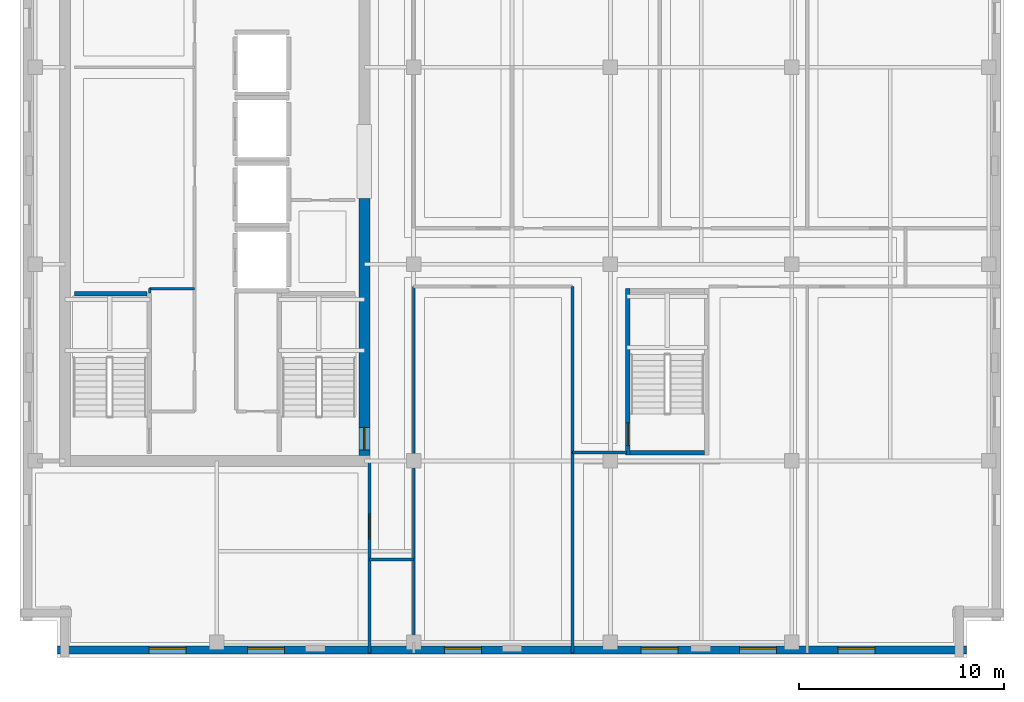
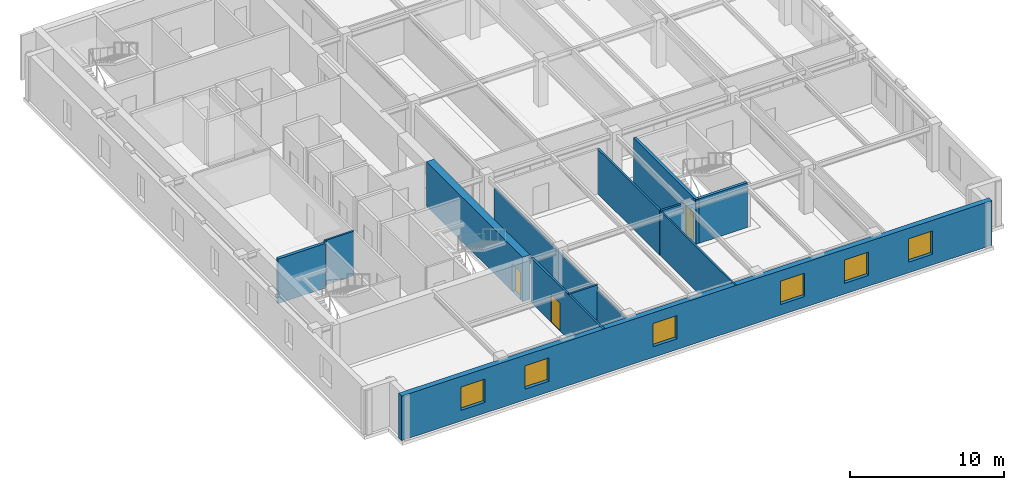
# One storey, part 3 of 11: 13 walls, 6 windows, 3 doors, 9 openings.
"""IFC4 building model written with IfcOpenShell, lengths in metres."""

from ifc_helpers import new_model, si_unit, direction, frame, frame_2d, origin, place, context, subcontext, project, spatial, rectangle, extrude, material, layer, layer_set, type_object, element, fill, save


model = new_model("IFC4")

# Units and contexts
model_context = context("Model", 3, precision=1e-05, world=origin(), true_north=direction((0.0, 1.0)))
body_context = subcontext(model_context, "Body", "Model", "MODEL_VIEW")
ifc_project = project(units=[si_unit("LENGTHUNIT", "METRE"), si_unit("AREAUNIT", "SQUARE_METRE"), si_unit("VOLUMEUNIT", "CUBIC_METRE"), si_unit("PLANEANGLEUNIT", "RADIAN"), si_unit("MASSUNIT", "GRAM", prefix="KILO")], contexts=[model_context])

# Site, building, storey
site_placement = place(None, origin())
site = spatial("IfcSite", under=ifc_project, at=site_placement, CompositionType="ELEMENT")
building_placement = place(site_placement, origin())
building = spatial("IfcBuilding", under=site, at=building_placement, Name="Norrvale University Quadrangle", CompositionType="ELEMENT")
storey_placement = place(building_placement, frame((0.0, 0.0, 284.800048828125)))
storey = spatial("IfcBuildingStorey", under=building, at=storey_placement, Name="L72", CompositionType="ELEMENT", Elevation=284.800048828125)

# Wall, opening, door
ifc_material_1 = material(Name="Concrete C60/75", Category="concrete")
ifc_layer_1 = layer(ifc_material_1, 0.550048828125, Name="Concrete C60/75")
ifc_layer_set_1 = layer_set([ifc_layer_1], Name="Concrete C60/75")
wall_type_1 = type_object("IfcWallType", Name="Wall Core 550", PredefinedType="SHEAR", material=ifc_layer_set_1)
wall_1_placement = place(storey_placement, frame((16.800048828125, 9.875, 0.0), z_axis=(0.0, 0.0, 1.0), x_axis=(0.0, 1.0, 0.0)))
wall_1 = element("IfcWall", 1, at=wall_1_placement, inside=storey, type_object=wall_type_1, Name="Tower Core Shear Wall L72-E1", PredefinedType="SHEAR", context=body_context, shape_type="SweptSolid", body=[
    extrude(rectangle(XDim=12.52490234375, YDim=0.550048828125, at=frame_2d((6.262451171875, 0.0))), origin(), (0.0, 0.0, 1.0), 3.5400390625),
])
opening_1_placement = place(wall_1_placement, frame((0.264892578125, 0.0, 0.0)))
opening_1 = element("IfcOpeningElement", 2, at=opening_1_placement, cuts=wall_1, Name="Opening D02", PredefinedType="OPENING", context=body_context, shape_type="SweptSolid", body=[
    extrude(rectangle(XDim=1.10009765625, YDim=2.199951171875, at=frame_2d((0.550048828125, 1.10009765625))), frame((0.0, 0.287109375, 0.0), z_axis=(0.0, -1.0, 0.0), x_axis=(1.0, 0.0, 0.0)), (0.0, 0.0, 1.0), 0.573974609375),
])
ifc_material_2 = material(Name="Hollow Steel 350W Fire Door", Category="steel")
door_type_1 = type_object("IfcDoorType", Name="Door Stair Exit 1100x2200", OperationType="NOTDEFINED", PredefinedType="DOOR", material=ifc_material_2)
door_1_placement = place(opening_1_placement, origin())
door_1 = element("IfcDoor", 3, at=door_1_placement, inside=storey, type_object=door_type_1, Name="Door Stair Exit 1100x2200 DR-L72-ST03", OperationType="SINGLE_SWING_LEFT", OverallHeight=2.199951171875, OverallWidth=1.10009765625, PredefinedType="DOOR", context=body_context, shape_type="SweptSolid", body=[
    extrude(rectangle(XDim=1.10009765625, YDim=2.199951171875, at=frame_2d((0.550048828125, 1.10009765625))), frame((0.0, 0.02490234375, 0.0), z_axis=(0.0, -1.0, 0.0), x_axis=(1.0, 0.0, 0.0)), (0.0, 0.0, 1.0), 0.050048828125),
])
fill(opening_1, door_1)

# Walls
ifc_material_3 = material(Name="Standard Academic Gypsum Partition")
ifc_layer_2 = layer(ifc_material_3, 0.125, Name="Standard Academic Gypsum Partition")
ifc_layer_set_2 = layer_set([ifc_layer_2], Name="Standard Academic Gypsum Partition")
wall_type_2 = type_object("IfcWallType", Name="Wall Gypsum Academic 125", PredefinedType="PARTITIONING", material=ifc_layer_set_2)
wall_2_placement = place(storey_placement, frame((6.320068359375, 17.800048828125, 0.0), z_axis=(0.0, 0.0, 1.0), x_axis=(0.0, 1.0, 0.0)))
element("IfcWall", 4, at=wall_2_placement, inside=storey, type_object=wall_type_2, Name="Interior Partition WL-L72-REC-L1", PredefinedType="PARTITIONING", context=body_context, shape_type="SweptSolid", body=[
    extrude(rectangle(XDim=0.199951171875, YDim=0.125, at=frame_2d((0.10009765625, 0.0))), origin(), (0.0, 0.0, 1.0), 3.5400390625),
])
wall_3_placement = place(storey_placement, frame((6.320068359375, 18.0, 0.0), z_axis=(0.0, 0.0, 1.0), x_axis=(1.0, 0.0, 0.0)))
element("IfcWall", 5, at=wall_3_placement, inside=storey, type_object=wall_type_2, Name="Interior Partition WL-L72-REC-L2", PredefinedType="PARTITIONING", context=body_context, shape_type="SweptSolid", body=[
    extrude(rectangle(XDim=2.199951171875, YDim=0.125, at=frame_2d((1.10009765625, 0.0))), origin(), (0.0, 0.0, 1.0), 3.5400390625),
])
wall_4_placement = place(storey_placement, frame((19.199951171875, 0.75, 0.0), z_axis=(0.0, 0.0, 1.0), x_axis=(0.0, 1.0, 0.0)))
element("IfcWall", 6, at=wall_4_placement, inside=storey, type_object=wall_type_2, Name="Interior Partition WL-L72-SE-W0-B2", PredefinedType="PARTITIONING", context=body_context, shape_type="SweptSolid", body=[
    extrude(rectangle(XDim=17.35009765625, YDim=0.125, at=frame_2d((8.675048828125, 0.0))), origin(), (0.0, 0.0, 1.0), 3.123046875),
])
wall_5_placement = place(storey_placement, frame((26.949951171875, 0.219970703125, 0.0), z_axis=(0.0, 0.0, 1.0), x_axis=(0.0, 1.0, 0.0)))
element("IfcWall", 7, at=wall_5_placement, inside=storey, type_object=wall_type_2, Name="Interior Partition WL-L72-SEP1A", PredefinedType="PARTITIONING", context=body_context, shape_type="SweptSolid", body=[
    extrude(rectangle(XDim=9.780029296875, YDim=0.125, at=frame_2d((4.89013671875, 0.0))), origin(), (0.0, 0.0, 1.0), 3.5400390625),
])
ifc_material_4 = material(Name="Fire-Rated Gypsum Stud Partition")
ifc_layer_3 = layer(ifc_material_4, 0.14990234375, Name="Fire-Rated Gypsum Stud Partition")
ifc_layer_set_3 = layer_set([ifc_layer_3], Name="Fire-Rated Gypsum Stud Partition")
wall_type_3 = type_object("IfcWallType", Name="Wall Gypsum Corridor 150", PredefinedType="PARTITIONING", material=ifc_layer_set_3)
wall_6_placement = place(storey_placement, frame((17.050048828125, 4.800048828125, 0.0), z_axis=(0.0, 0.0, 1.0), x_axis=(1.0, 0.0, 0.0)))
element("IfcWall", 8, at=wall_6_placement, inside=storey, type_object=wall_type_3, Name="Interior Partition WL-L72-CSP-S", PredefinedType="PARTITIONING", context=body_context, shape_type="SweptSolid", body=[
    extrude(rectangle(XDim=2.14990234375, YDim=0.14990234375, at=frame_2d((1.074951171875, 0.0))), origin(), (0.0, 0.0, 1.0), 3.5400390625),
])

# Wall, opening, door
wall_7_placement = place(storey_placement, frame((17.050048828125, 0.219970703125, 0.0), z_axis=(0.0, 0.0, 1.0), x_axis=(0.0, 1.0, 0.0)))
wall_7 = element("IfcWall", 9, at=wall_7_placement, inside=storey, type_object=wall_type_3, Name="Interior Partition WL-L72-SW-E", PredefinedType="PARTITIONING", context=body_context, shape_type="SweptSolid", body=[
    extrude(rectangle(XDim=9.380126953125, YDim=0.14990234375, at=frame_2d((4.68994140625, 0.0))), origin(), (0.0, 0.0, 1.0), 3.5400390625),
])
opening_2_placement = place(wall_7_placement, frame((5.580078125, 0.0, 0.0)))
opening_2 = element("IfcOpeningElement", 10, at=opening_2_placement, cuts=wall_7, Name="Opening D05", PredefinedType="OPENING", context=body_context, shape_type="SweptSolid", body=[
    extrude(rectangle(XDim=1.199951171875, YDim=2.199951171875, at=frame_2d((0.60009765625, 1.10009765625))), frame((0.0, 0.0869140625, 0.0), z_axis=(0.0, -1.0, 0.0), x_axis=(1.0, 0.0, 0.0)), (0.0, 0.0, 1.0), 0.173828125),
])
ifc_material_5 = material(Name="Acoustic Oak Classroom Door", Category="wood")
door_type_2 = type_object("IfcDoorType", Name="Door Classroom 1200x2200", OperationType="NOTDEFINED", PredefinedType="DOOR", material=ifc_material_5)
door_2_placement = place(opening_2_placement, origin())
door_2 = element("IfcDoor", 11, at=door_2_placement, inside=storey, type_object=door_type_2, Name="Door Classroom 1200x2200 DR-L72-SW1", OperationType="SINGLE_SWING_LEFT", OverallHeight=2.199951171875, OverallWidth=1.199951171875, PredefinedType="DOOR", context=body_context, shape_type="SweptSolid", body=[
    extrude(rectangle(XDim=1.199951171875, YDim=2.199951171875, at=frame_2d((0.60009765625, 1.10009765625))), frame((0.0, 0.02490234375, 0.0), z_axis=(0.0, -1.0, 0.0), x_axis=(1.0, 0.0, 0.0)), (0.0, 0.0, 1.0), 0.050048828125),
])
fill(opening_2, door_2)

# Walls
wall_8_placement = place(storey_placement, frame((26.949951171875, 10.0, 0.0), z_axis=(0.0, 0.0, 1.0), x_axis=(0.0, 1.0, 0.0)))
element("IfcWall", 12, at=wall_8_placement, inside=storey, type_object=wall_type_3, Name="Interior Partition WL-L72-SEP1B", PredefinedType="PARTITIONING", context=body_context, shape_type="SweptSolid", body=[
    extrude(rectangle(XDim=8.10009765625, YDim=0.14990234375, at=frame_2d((4.050048828125, 0.0))), origin(), (0.0, 0.0, 1.0), 3.5400390625),
])
wall_9_placement = place(storey_placement, frame((26.949951171875, 10.0, 0.0), z_axis=(0.0, 0.0, 1.0), x_axis=(1.0, 0.0, 0.0)))
element("IfcWall", 13, at=wall_9_placement, inside=storey, type_object=wall_type_3, Name="Interior Partition WL-L72-SEP1C", PredefinedType="PARTITIONING", context=body_context, shape_type="SweptSolid", body=[
    extrude(rectangle(XDim=2.630126953125, YDim=0.14990234375, at=frame_2d((1.31494140625, 0.0))), origin(), (0.0, 0.0, 1.0), 3.5400390625),
])

# Wall, openings, windows
ifc_material_6 = material(Name="Red Manganese Brick Masonry", Category="masonry")
ifc_layer_4 = layer(ifc_material_6, 0.39990234375, Name="Red Manganese Brick Masonry")
ifc_layer_set_4 = layer_set([ifc_layer_4], Name="Red Manganese Brick Masonry")
wall_type_4 = type_object("IfcWallType", Name="Wall Red Brick 400", PredefinedType="SOLIDWALL", material=ifc_layer_set_4)
wall_10_placement = place(storey_placement, frame((1.840087890625, 0.3798828125, 0.0), z_axis=(0.0, 0.0, 1.0), x_axis=(1.0, 0.0, 0.0)))
wall_10 = element("IfcWall", 14, at=wall_10_placement, inside=storey, type_object=wall_type_4, Name="Exterior Brick Facade Wall L72-01.1", PredefinedType="SOLIDWALL", context=body_context, shape_type="SweptSolid", body=[
    extrude(rectangle(XDim=44.31982421875, YDim=0.39990234375, at=frame_2d((22.159912109375, 0.0))), origin(), (0.0, 0.0, 1.0), 3.5400390625),
])
opening_3_placement = place(wall_10_placement, frame((4.4599609375, 0.0, 0.85009765625)))
opening_3 = element("IfcOpeningElement", 15, at=opening_3_placement, cuts=wall_10, Name="Opening W01", PredefinedType="OPENING", context=body_context, shape_type="SweptSolid", body=[
    extrude(rectangle(XDim=1.800048828125, YDim=1.85009765625, at=frame_2d((0.89990234375, 0.925048828125))), frame((0.0, 0.2119140625, 0.0), z_axis=(0.0, -1.0, 0.0), x_axis=(1.0, 0.0, 0.0)), (0.0, 0.0, 1.0), 0.423828125),
])
opening_4_placement = place(wall_10_placement, frame((9.260009765625, 0.0, 0.85009765625)))
opening_4 = element("IfcOpeningElement", 16, at=opening_4_placement, cuts=wall_10, Name="Opening W01", PredefinedType="OPENING", context=body_context, shape_type="SweptSolid", body=[
    extrude(rectangle(XDim=1.800048828125, YDim=1.85009765625, at=frame_2d((0.89990234375, 0.925048828125))), frame((0.0, 0.2119140625, 0.0), z_axis=(0.0, -1.0, 0.0), x_axis=(1.0, 0.0, 0.0)), (0.0, 0.0, 1.0), 0.423828125),
])
opening_5_placement = place(wall_10_placement, frame((18.860107421875, 0.0, 0.85009765625)))
opening_5 = element("IfcOpeningElement", 17, at=opening_5_placement, cuts=wall_10, Name="Opening W01", PredefinedType="OPENING", context=body_context, shape_type="SweptSolid", body=[
    extrude(rectangle(XDim=1.800048828125, YDim=1.85009765625, at=frame_2d((0.89990234375, 0.925048828125))), frame((0.0, 0.2119140625, 0.0), z_axis=(0.0, -1.0, 0.0), x_axis=(1.0, 0.0, 0.0)), (0.0, 0.0, 1.0), 0.423828125),
])
opening_6_placement = place(wall_10_placement, frame((28.4599609375, 0.0, 0.85009765625)))
opening_6 = element("IfcOpeningElement", 18, at=opening_6_placement, cuts=wall_10, Name="Opening W01", PredefinedType="OPENING", context=body_context, shape_type="SweptSolid", body=[
    extrude(rectangle(XDim=1.800048828125, YDim=1.85009765625, at=frame_2d((0.89990234375, 0.925048828125))), frame((0.0, 0.2119140625, 0.0), z_axis=(0.0, -1.0, 0.0), x_axis=(1.0, 0.0, 0.0)), (0.0, 0.0, 1.0), 0.423828125),
])
opening_7_placement = place(wall_10_placement, frame((33.260009765625, 0.0, 0.85009765625)))
opening_7 = element("IfcOpeningElement", 19, at=opening_7_placement, cuts=wall_10, Name="Opening W01", PredefinedType="OPENING", context=body_context, shape_type="SweptSolid", body=[
    extrude(rectangle(XDim=1.800048828125, YDim=1.85009765625, at=frame_2d((0.89990234375, 0.925048828125))), frame((0.0, 0.2119140625, 0.0), z_axis=(0.0, -1.0, 0.0), x_axis=(1.0, 0.0, 0.0)), (0.0, 0.0, 1.0), 0.423828125),
])
opening_8_placement = place(wall_10_placement, frame((38.06005859375, 0.0, 0.85009765625)))
opening_8 = element("IfcOpeningElement", 20, at=opening_8_placement, cuts=wall_10, Name="Opening W01", PredefinedType="OPENING", context=body_context, shape_type="SweptSolid", body=[
    extrude(rectangle(XDim=1.800048828125, YDim=1.85009765625, at=frame_2d((0.89990234375, 0.925048828125))), frame((0.0, 0.2119140625, 0.0), z_axis=(0.0, -1.0, 0.0), x_axis=(1.0, 0.0, 0.0)), (0.0, 0.0, 1.0), 0.423828125),
])
ifc_material_7 = material(Name="Triple Low-E Argon Glazing", Category="glass")
window_type = type_object("IfcWindowType", Name="Window Academic 1800x2300", PartitioningType="DOUBLE_PANEL_VERTICAL", PredefinedType="WINDOW", material=ifc_material_7)
window_1_placement = place(opening_3_placement, origin())
window_1 = element("IfcWindow", 21, at=window_1_placement, inside=storey, type_object=window_type, Name="Window Academic 1800x2300 WIN-L72-E01-1-01", OverallHeight=1.85009765625, OverallWidth=1.800048828125, PartitioningType="DOUBLE_PANEL_VERTICAL", PredefinedType="WINDOW", context=body_context, shape_type="SweptSolid", body=[
    extrude(rectangle(XDim=1.800048828125, YDim=1.85009765625, at=frame_2d((0.89990234375, 0.925048828125))), frame((0.0, 0.110107421875, 0.0), z_axis=(0.0, -1.0, 0.0), x_axis=(1.0, 0.0, 0.0)), (0.0, 0.0, 1.0), 0.06005859375),
])
fill(opening_3, window_1)
window_2_placement = place(opening_4_placement, origin())
window_2 = element("IfcWindow", 22, at=window_2_placement, inside=storey, type_object=window_type, Name="Window Academic 1800x2300 WIN-L72-E01-1-02", OverallHeight=1.85009765625, OverallWidth=1.800048828125, PartitioningType="DOUBLE_PANEL_VERTICAL", PredefinedType="WINDOW", context=body_context, shape_type="SweptSolid", body=[
    extrude(rectangle(XDim=1.800048828125, YDim=1.85009765625, at=frame_2d((0.89990234375, 0.925048828125))), frame((0.0, 0.110107421875, 0.0), z_axis=(0.0, -1.0, 0.0), x_axis=(1.0, 0.0, 0.0)), (0.0, 0.0, 1.0), 0.06005859375),
])
fill(opening_4, window_2)
window_3_placement = place(opening_5_placement, origin())
window_3 = element("IfcWindow", 23, at=window_3_placement, inside=storey, type_object=window_type, Name="Window Academic 1800x2300 WIN-L72-E01-1-03", OverallHeight=1.85009765625, OverallWidth=1.800048828125, PartitioningType="DOUBLE_PANEL_VERTICAL", PredefinedType="WINDOW", context=body_context, shape_type="SweptSolid", body=[
    extrude(rectangle(XDim=1.800048828125, YDim=1.85009765625, at=frame_2d((0.89990234375, 0.925048828125))), frame((0.0, 0.110107421875, 0.0), z_axis=(0.0, -1.0, 0.0), x_axis=(1.0, 0.0, 0.0)), (0.0, 0.0, 1.0), 0.06005859375),
])
fill(opening_5, window_3)
window_4_placement = place(opening_6_placement, origin())
window_4 = element("IfcWindow", 24, at=window_4_placement, inside=storey, type_object=window_type, Name="Window Academic 1800x2300 WIN-L72-E01-1-04", OverallHeight=1.85009765625, OverallWidth=1.800048828125, PartitioningType="DOUBLE_PANEL_VERTICAL", PredefinedType="WINDOW", context=body_context, shape_type="SweptSolid", body=[
    extrude(rectangle(XDim=1.800048828125, YDim=1.85009765625, at=frame_2d((0.89990234375, 0.925048828125))), frame((0.0, 0.110107421875, 0.0), z_axis=(0.0, -1.0, 0.0), x_axis=(1.0, 0.0, 0.0)), (0.0, 0.0, 1.0), 0.06005859375),
])
fill(opening_6, window_4)
window_5_placement = place(opening_7_placement, origin())
window_5 = element("IfcWindow", 25, at=window_5_placement, inside=storey, type_object=window_type, Name="Window Academic 1800x2300 WIN-L72-E01-1-05", OverallHeight=1.85009765625, OverallWidth=1.800048828125, PartitioningType="DOUBLE_PANEL_VERTICAL", PredefinedType="WINDOW", context=body_context, shape_type="SweptSolid", body=[
    extrude(rectangle(XDim=1.800048828125, YDim=1.85009765625, at=frame_2d((0.89990234375, 0.925048828125))), frame((0.0, 0.110107421875, 0.0), z_axis=(0.0, -1.0, 0.0), x_axis=(1.0, 0.0, 0.0)), (0.0, 0.0, 1.0), 0.06005859375),
])
fill(opening_7, window_5)
window_6_placement = place(opening_8_placement, origin())
window_6 = element("IfcWindow", 26, at=window_6_placement, inside=storey, type_object=window_type, Name="Window Academic 1800x2300 WIN-L72-E01-1-06", OverallHeight=1.85009765625, OverallWidth=1.800048828125, PartitioningType="DOUBLE_PANEL_VERTICAL", PredefinedType="WINDOW", context=body_context, shape_type="SweptSolid", body=[
    extrude(rectangle(XDim=1.800048828125, YDim=1.85009765625, at=frame_2d((0.89990234375, 0.925048828125))), frame((0.0, 0.110107421875, 0.0), z_axis=(0.0, -1.0, 0.0), x_axis=(1.0, 0.0, 0.0)), (0.0, 0.0, 1.0), 0.06005859375),
])
fill(opening_8, window_6)

# Walls
ifc_material_8 = material(Name="Concrete Blockwork 20 MPa Fire Shaft", Category="masonry")
ifc_layer_5 = layer(ifc_material_8, 0.219970703125, Name="Concrete Blockwork 20 MPa Fire Shaft")
ifc_layer_set_5 = layer_set([ifc_layer_5], Name="Concrete Blockwork 20 MPa Fire Shaft")
wall_type_5 = type_object("IfcWallType", Name="Wall Shaft 220", PredefinedType="SOLIDWALL", material=ifc_layer_set_5)
wall_11_placement = place(storey_placement, frame((2.64990234375, 17.760009765625, 0.0), z_axis=(0.0, 0.0, 1.0), x_axis=(1.0, 0.0, 0.0)))
element("IfcWall", 27, at=wall_11_placement, inside=storey, type_object=wall_type_5, Name="Stair ST-01 North Shaft Wall L72", PredefinedType="SOLIDWALL", context=body_context, shape_type="SweptSolid", body=[
    extrude(rectangle(XDim=3.550048828125, YDim=0.219970703125, at=frame_2d((1.77490234375, 0.0))), origin(), (0.0, 0.0, 1.0), 3.5400390625),
])
wall_12_placement = place(storey_placement, frame((29.75, 9.989990234375, 0.0), z_axis=(0.0, 0.0, 1.0), x_axis=(1.0, 0.0, 0.0)))
element("IfcWall", 28, at=wall_12_placement, inside=storey, type_object=wall_type_5, Name="Stair ST-04 South Shaft Wall L72", PredefinedType="SOLIDWALL", context=body_context, shape_type="SweptSolid", body=[
    extrude(rectangle(XDim=3.64990234375, YDim=0.219970703125, at=frame_2d((1.824951171875, 0.0))), origin(), (0.0, 0.0, 1.0), 3.5400390625),
])

# Wall, opening, door
wall_13_placement = place(storey_placement, frame((29.639892578125, 9.8798828125, 0.0), z_axis=(0.0, 0.0, 1.0), x_axis=(0.0, 1.0, 0.0)))
wall_13 = element("IfcWall", 29, at=wall_13_placement, inside=storey, type_object=wall_type_5, Name="Stair ST-04 West Shaft Wall L72", PredefinedType="SOLIDWALL", context=body_context, shape_type="SweptSolid", body=[
    extrude(rectangle(XDim=8.14013671875, YDim=0.219970703125, at=frame_2d((4.070068359375, 0.0))), origin(), (0.0, 0.0, 1.0), 3.5400390625),
])
opening_9_placement = place(wall_13_placement, frame((0.469970703125, 0.0, 0.0)))
opening_9 = element("IfcOpeningElement", 30, at=opening_9_placement, cuts=wall_13, Name="Opening D02", PredefinedType="OPENING", context=body_context, shape_type="SweptSolid", body=[
    extrude(rectangle(XDim=1.10009765625, YDim=2.199951171875, at=frame_2d((0.550048828125, 1.10009765625))), frame((0.0, 0.1220703125, 0.0), z_axis=(0.0, -1.0, 0.0), x_axis=(1.0, 0.0, 0.0)), (0.0, 0.0, 1.0), 0.243896484375),
])
door_3_placement = place(opening_9_placement, frame((1.10009765625, 0.0, 0.0), z_axis=(0.0, 0.0, 1.0), x_axis=(-1.0, 0.0, 0.0)))
door_3 = element("IfcDoor", 31, at=door_3_placement, inside=storey, type_object=door_type_1, Name="Door Stair Exit 1100x2200 DR-L72-ST04", OperationType="SINGLE_SWING_RIGHT", OverallHeight=2.199951171875, OverallWidth=1.10009765625, PredefinedType="DOOR", context=body_context, shape_type="SweptSolid", body=[
    extrude(rectangle(XDim=1.10009765625, YDim=2.199951171875, at=frame_2d((0.550048828125, 1.10009765625))), frame((0.0, 0.02490234375, 0.0), z_axis=(0.0, -1.0, 0.0), x_axis=(1.0, 0.0, 0.0)), (0.0, 0.0, 1.0), 0.050048828125),
])
fill(opening_9, door_3)

save(model, "model.ifc")
